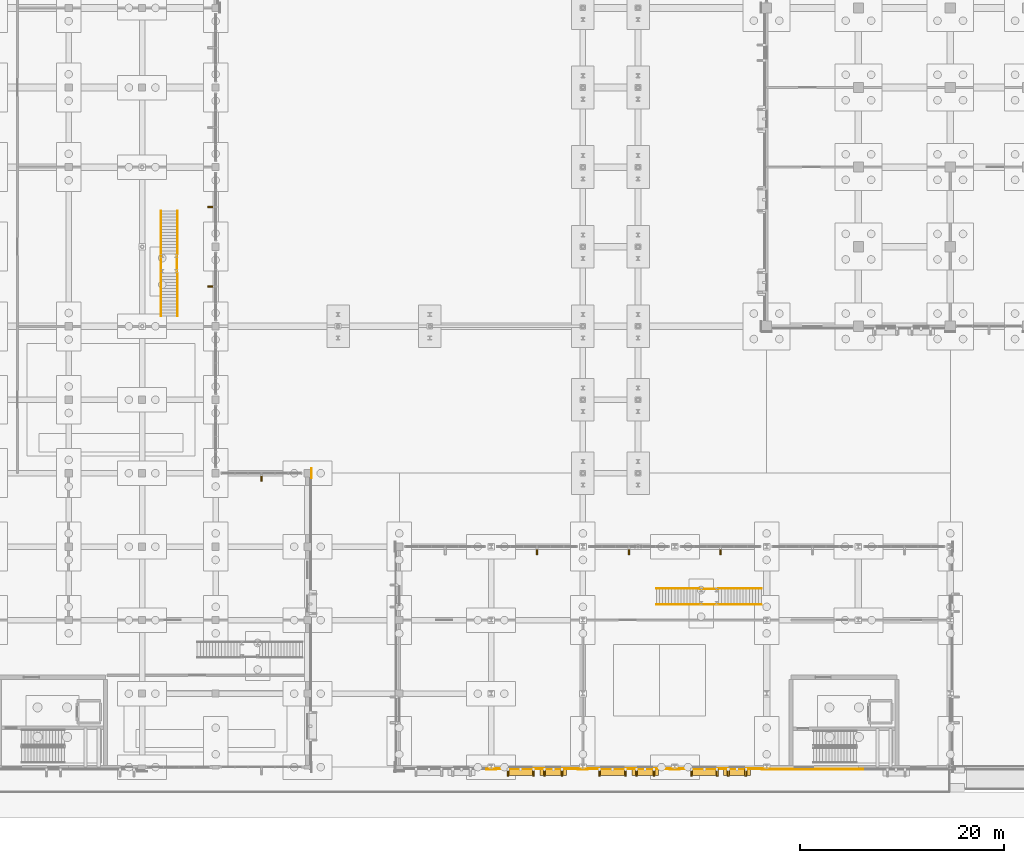
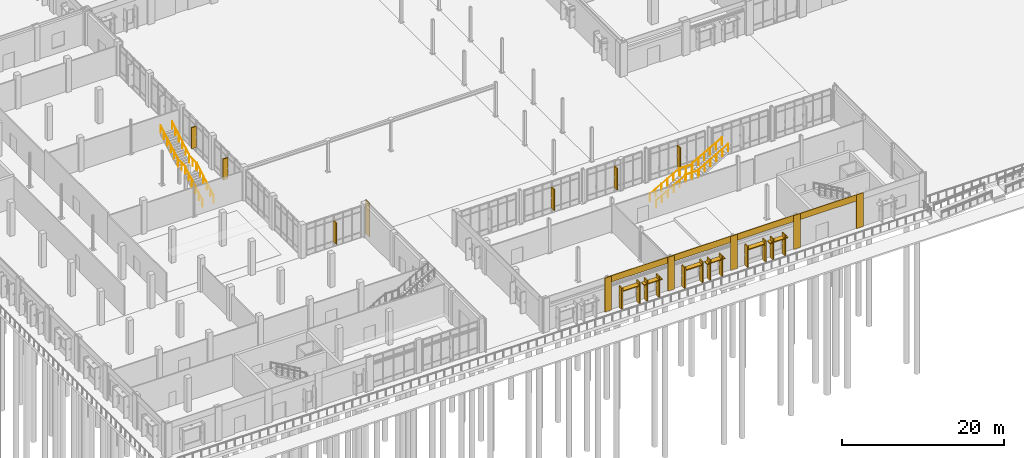
# One storey, part 83 of 94: 24 shading devices, 12 railings, 10 coverings.
"""IFC4 building model written with IfcOpenShell, lengths in metres."""

from ifc_helpers import new_model, si_unit, direction, frame, origin, origin_2d, place, context, subcontext, project, spatial, rectangle, circle, extrude, material, layer, layer_set, type_object, element, save


model = new_model("IFC4")

# Units and contexts
model_context = context("Model", 3, precision=1e-05, world=origin(), true_north=direction((0.0, 1.0)))
body_context = subcontext(model_context, "Body", "Model", "MODEL_VIEW")
ifc_project = project(units=[si_unit("LENGTHUNIT", "METRE"), si_unit("AREAUNIT", "SQUARE_METRE"), si_unit("VOLUMEUNIT", "CUBIC_METRE"), si_unit("PLANEANGLEUNIT", "RADIAN"), si_unit("MASSUNIT", "GRAM", prefix="KILO")], contexts=[model_context])

# Site, building, storey
site_placement = place(None, origin())
site = spatial("IfcSite", under=ifc_project, at=site_placement, CompositionType="ELEMENT")
building_placement = place(site_placement, origin())
building = spatial("IfcBuilding", under=site, at=building_placement, Name="Vervanel Yard Central Library", CompositionType="ELEMENT")
storey_placement = place(building_placement, origin())
storey = spatial("IfcBuildingStorey", under=building, at=storey_placement, Name="L00", CompositionType="ELEMENT", Elevation=0.0)

# Coverings
ifc_material_1 = material(Name="Precast concrete C45/55", Category="concrete")
ifc_layer = layer(ifc_material_1, 0.0849609375, Category="concrete")
ifc_layer_set = layer_set([ifc_layer], Name="Precast concrete C45/55")
covering_type = type_object("IfcCoveringType", Name="Bush-Hammered Precast Architectural Cladding Panel", PredefinedType="CLADDING", material=ifc_layer_set)
covering_1_placement = place(storey_placement, frame((63.0, -0.226806640625, 0.0), z_axis=(0.0, 0.0, 1.0), x_axis=(1.0, 0.0, 0.0)))
element("IfcCovering", 1, at=covering_1_placement, inside=storey, type_object=covering_type, Name="L00 Precast Concrete Pier Pilaster EWALL-L00-0192-B", PredefinedType="CLADDING", context=body_context, shape_type="SweptSolid", body=[
    extrude(rectangle(XDim=0.97998046875, YDim=0.0849609375, at=origin_2d()), origin(), (0.0, 0.0, 1.0), 5.1201171875),
])
covering_2_placement = place(storey_placement, frame((67.5, -0.169921875, 4.179931640625), z_axis=(0.0, 0.0, 1.0), x_axis=(1.0, 0.0, 0.0)))
element("IfcCovering", 2, at=covering_2_placement, inside=storey, type_object=covering_type, Name="L00 Precast Concrete Spandrel Cornice EWALL-L00-0193", PredefinedType="CLADDING", context=body_context, shape_type="SweptSolid", body=[
    extrude(rectangle(XDim=9.449951171875, YDim=0.0849609375, at=origin_2d()), origin(), (0.0, 0.0, 1.0), 0.93994140625),
])
covering_3_placement = place(storey_placement, frame((72.0, -0.226806640625, 0.0), z_axis=(0.0, 0.0, 1.0), x_axis=(1.0, 0.0, 0.0)))
element("IfcCovering", 3, at=covering_3_placement, inside=storey, type_object=covering_type, Name="L00 Precast Concrete Pier Pilaster EWALL-L00-0193-B", PredefinedType="CLADDING", context=body_context, shape_type="SweptSolid", body=[
    extrude(rectangle(XDim=0.97998046875, YDim=0.0849609375, at=origin_2d()), origin(), (0.0, 0.0, 1.0), 5.1201171875),
])
covering_4_placement = place(storey_placement, frame((76.5, -0.169921875, 4.179931640625), z_axis=(0.0, 0.0, 1.0), x_axis=(1.0, 0.0, 0.0)))
element("IfcCovering", 4, at=covering_4_placement, inside=storey, type_object=covering_type, Name="L00 Precast Concrete Spandrel Cornice EWALL-L00-0194", PredefinedType="CLADDING", context=body_context, shape_type="SweptSolid", body=[
    extrude(rectangle(XDim=9.449951171875, YDim=0.0849609375, at=origin_2d()), origin(), (0.0, 0.0, 1.0), 0.93994140625),
])
covering_5_placement = place(storey_placement, frame((81.0, -0.226806640625, 0.0), z_axis=(0.0, 0.0, 1.0), x_axis=(1.0, 0.0, 0.0)))
element("IfcCovering", 5, at=covering_5_placement, inside=storey, type_object=covering_type, Name="L00 Precast Concrete Pier Pilaster EWALL-L00-0194-B", PredefinedType="CLADDING", context=body_context, shape_type="SweptSolid", body=[
    extrude(rectangle(XDim=0.97998046875, YDim=0.0849609375, at=origin_2d()), origin(), (0.0, 0.0, 1.0), 5.1201171875),
])
covering_6_placement = place(storey_placement, frame((85.5, -0.169921875, 4.179931640625), z_axis=(0.0, 0.0, 1.0), x_axis=(1.0, 0.0, 0.0)))
element("IfcCovering", 6, at=covering_6_placement, inside=storey, type_object=covering_type, Name="L00 Precast Concrete Spandrel Cornice EWALL-L00-0195", PredefinedType="CLADDING", context=body_context, shape_type="SweptSolid", body=[
    extrude(rectangle(XDim=9.449951171875, YDim=0.0849609375, at=origin_2d()), origin(), (0.0, 0.0, 1.0), 0.93994140625),
])
covering_7_placement = place(storey_placement, frame((90.0, -0.226806640625, 0.0), z_axis=(0.0, 0.0, 1.0), x_axis=(1.0, 0.0, 0.0)))
element("IfcCovering", 7, at=covering_7_placement, inside=storey, type_object=covering_type, Name="L00 Precast Concrete Pier Pilaster EWALL-L00-0195-B", PredefinedType="CLADDING", context=body_context, shape_type="SweptSolid", body=[
    extrude(rectangle(XDim=0.97998046875, YDim=0.0849609375, at=origin_2d()), origin(), (0.0, 0.0, 1.0), 5.1201171875),
])
covering_8_placement = place(storey_placement, frame((94.5, -0.2099609375, 4.179931640625), z_axis=(0.0, 0.0, 1.0), x_axis=(1.0, 0.0, 0.0)))
element("IfcCovering", 8, at=covering_8_placement, inside=storey, type_object=covering_type, Name="L00 Precast Concrete Spandrel Cornice EWALL-L00-0196", PredefinedType="CLADDING", context=body_context, shape_type="SweptSolid", body=[
    extrude(rectangle(XDim=9.449951171875, YDim=0.0849609375, at=origin_2d()), origin(), (0.0, 0.0, 1.0), 0.93994140625),
])
for number, where, z_axis, x_axis, name in (
    (9, (99.0, -0.21240234375, 0.0), (0.0, 0.0, 1.0), (1.0, 0.0, 0.0), "L00 Precast Concrete Pier Pilaster EWALL-L00-0196-B"),
    (10, (45.392578125, 28.800048828125, 0.0), (0.0, 0.0, 1.0), (0.0, 1.0, 0.0), "L00 Precast Concrete Pier Pilaster EWALL-L00-0221-B"),
):
    element("IfcCovering", number, at=place(storey_placement, frame(where, z_axis=z_axis, x_axis=x_axis)), inside=storey, type_object=covering_type, Name=name, PredefinedType="CLADDING", context=body_context, shape_type="SweptSolid", body=[
        extrude(rectangle(XDim=0.97998046875, YDim=0.0849609375, at=origin_2d()), origin(), (0.0, 0.0, 1.0), 5.1201171875),
    ])

# Shading devices
shading_device_type_1 = type_object("IfcShadingDeviceType", Name="Horizontal Precast Brise-Soleil Sunhood 2600x680x140", PredefinedType="JALOUSIE", material=ifc_material_1)
for number, where, z_axis, x_axis, name in (
    (11, (65.89990234375, -0.5, 2.6298828125), (0.0, 0.0, 1.0), (1.0, 0.0, 0.0), "L00 Precast Horizontal Sunhood 104"),
    (12, (69.10009765625, -0.5, 2.47998046875), (0.0, 0.0, 1.0), (1.0, 0.0, 0.0), "L00 Precast Horizontal Sunhood 105"),
    (13, (74.89990234375, -0.5, 2.6298828125), (0.0, 0.0, 1.0), (1.0, 0.0, 0.0), "L00 Precast Horizontal Sunhood 106"),
    (14, (78.10009765625, -0.5, 2.47998046875), (0.0, 0.0, 1.0), (1.0, 0.0, 0.0), "L00 Precast Horizontal Sunhood 107"),
    (15, (83.89990234375, -0.5, 2.6298828125), (0.0, 0.0, 1.0), (1.0, 0.0, 0.0), "L00 Precast Horizontal Sunhood 108"),
    (16, (87.10009765625, -0.5, 2.47998046875), (0.0, 0.0, 1.0), (1.0, 0.0, 0.0), "L00 Precast Horizontal Sunhood 109"),
):
    element("IfcShadingDevice", number, at=place(storey_placement, frame(where, z_axis=z_axis, x_axis=x_axis)), inside=storey, type_object=shading_device_type_1, Name=name, PredefinedType="JALOUSIE", context=body_context, shape_type="SweptSolid", body=[
        extrude(rectangle(XDim=2.60009765625, YDim=0.679931640625, at=origin_2d()), origin(), (0.0, 0.0, 1.0), 0.139892578125),
    ])

# Railings
ifc_material_2 = material(Name="Galvanized painted steelwork ASTM A500 Grade C", Category="steel")
railing_type = type_object("IfcRailingType", Name="Painted Steel Guardrail 1100", PredefinedType="GUARDRAIL", material=ifc_material_2)
for number, where, name in (
    (17, (30.6298828125, 44.199951171875, 0.169921875), "L00 Feature Stair Guard FST-05-L00 F1 L"),
    (18, (32.27001953125, 44.199951171875, 0.169921875), "L00 Feature Stair Guard FST-05-L00 F1 R"),
    (19, (30.6298828125, 50.300048828125, 2.719970703125), "L00 Feature Stair Guard FST-05-L00 F2 L"),
    (20, (32.27001953125, 50.300048828125, 2.719970703125), "L00 Feature Stair Guard FST-05-L00 F2 R"),
):
    element("IfcRailing", number, at=place(storey_placement, frame(where)), inside=storey, type_object=railing_type, Name=name, PredefinedType="GUARDRAIL", context=body_context, shape_type="SweptSolid", body=[
        extrude(circle(Radius=0.02392578125, at=origin_2d()), frame((0.0, 0.0, 1.076171875), z_axis=(0.0, 0.870008446991, 0.493036816236), x_axis=(-1.0, 0.0, 0.0)), (0.0, 0.0, 1.0), 4.827392578125),
        extrude(circle(Radius=0.02099609375, at=origin_2d()), origin(), (0.0, 0.0, 1.0), 1.052001953125),
        extrude(circle(Radius=0.02099609375, at=origin_2d()), frame((0.0, 0.840087890625, 0.47607421875)), (0.0, 0.0, 1.0), 1.052001953125),
        extrude(circle(Radius=0.02099609375, at=origin_2d()), frame((0.0, 1.679931640625, 0.9521484375)), (0.0, 0.0, 1.0), 1.052001953125),
        extrude(circle(Radius=0.02099609375, at=origin_2d()), frame((0.0, 2.52001953125, 1.427978515625)), (0.0, 0.0, 1.0), 1.052001953125),
        extrude(circle(Radius=0.02099609375, at=origin_2d()), frame((0.0, 3.35986328125, 1.904052734375)), (0.0, 0.0, 1.0), 1.052001953125),
        extrude(circle(Radius=0.02099609375, at=origin_2d()), frame((0.0, 4.199951171875, 2.380126953125)), (0.0, 0.0, 1.0), 1.052001953125),
    ])
railing_1_placement = place(storey_placement, frame((32.22998046875, 48.47998046875, 2.550048828125)))
element("IfcRailing", 21, at=railing_1_placement, inside=storey, type_object=railing_type, Name="L00 Void Guard FST-05-L00-LDG1 E", PredefinedType="GUARDRAIL", context=body_context, shape_type="SweptSolid", body=[
    extrude(circle(Radius=0.02392578125, at=origin_2d()), frame((0.0, 0.0, 1.076171875), z_axis=(0.0, 1.0, 0.0), x_axis=(-1.0, 0.0, 0.0)), (0.0, 0.0, 1.0), 1.739990234375),
    extrude(circle(Radius=0.02099609375, at=origin_2d()), origin(), (0.0, 0.0, 1.0), 1.052001953125),
    extrude(circle(Radius=0.02099609375, at=origin_2d()), frame((0.0, 0.8701171875, 0.0)), (0.0, 0.0, 1.0), 1.052001953125),
    extrude(circle(Radius=0.02099609375, at=origin_2d()), frame((0.0, 1.739990234375, 0.0)), (0.0, 0.0, 1.0), 1.052001953125),
])
railing_2_placement = place(storey_placement, frame((30.669921875, 50.219970703125, 2.550048828125)))
element("IfcRailing", 22, at=railing_2_placement, inside=storey, type_object=railing_type, Name="L00 Void Guard FST-05-L00-LDG1 W", PredefinedType="GUARDRAIL", context=body_context, shape_type="SweptSolid", body=[
    extrude(circle(Radius=0.02392578125, at=origin_2d()), frame((0.0, 0.0, 1.076171875), z_axis=(0.0, -1.0, 0.0), x_axis=(1.0, 0.0, 0.0)), (0.0, 0.0, 1.0), 1.739990234375),
    extrude(circle(Radius=0.02099609375, at=origin_2d()), origin(), (0.0, 0.0, 1.0), 1.052001953125),
    extrude(circle(Radius=0.02099609375, at=origin_2d()), frame((0.0, -0.8701171875, 0.0)), (0.0, 0.0, 1.0), 1.052001953125),
    extrude(circle(Radius=0.02099609375, at=origin_2d()), frame((0.0, -1.739990234375, 0.0)), (0.0, 0.0, 1.0), 1.052001953125),
])
for number, where, name in (
    (23, (79.199951171875, 17.489990234375, 0.169921875), "L00 Feature Stair Guard FST-06-L00 F1 L"),
    (24, (79.199951171875, 15.909912109375, 0.169921875), "L00 Feature Stair Guard FST-06-L00 F1 R"),
    (25, (85.300048828125, 17.489990234375, 2.719970703125), "L00 Feature Stair Guard FST-06-L00 F2 L"),
    (26, (85.300048828125, 15.909912109375, 2.719970703125), "L00 Feature Stair Guard FST-06-L00 F2 R"),
):
    element("IfcRailing", number, at=place(storey_placement, frame(where)), inside=storey, type_object=railing_type, Name=name, PredefinedType="GUARDRAIL", context=body_context, shape_type="SweptSolid", body=[
        extrude(circle(Radius=0.02392578125, at=origin_2d()), frame((0.0, 0.0, 1.076171875), z_axis=(0.870008446991, 0.0, 0.493036816236), x_axis=(0.0, 1.0, 0.0)), (0.0, 0.0, 1.0), 4.827392578125),
        extrude(circle(Radius=0.02099609375, at=origin_2d()), origin(), (0.0, 0.0, 1.0), 1.052001953125),
        extrude(circle(Radius=0.02099609375, at=origin_2d()), frame((0.840087890625, 0.0, 0.47607421875)), (0.0, 0.0, 1.0), 1.052001953125),
        extrude(circle(Radius=0.02099609375, at=origin_2d()), frame((1.679931640625, 0.0, 0.9521484375)), (0.0, 0.0, 1.0), 1.052001953125),
        extrude(circle(Radius=0.02099609375, at=origin_2d()), frame((2.52001953125, 0.0, 1.427978515625)), (0.0, 0.0, 1.0), 1.052001953125),
        extrude(circle(Radius=0.02099609375, at=origin_2d()), frame((3.35986328125, 0.0, 1.904052734375)), (0.0, 0.0, 1.0), 1.052001953125),
        extrude(circle(Radius=0.02099609375, at=origin_2d()), frame((4.199951171875, 0.0, 2.380126953125)), (0.0, 0.0, 1.0), 1.052001953125),
    ])
railing_3_placement = place(storey_placement, frame((83.47998046875, 15.949951171875, 2.550048828125)))
element("IfcRailing", 27, at=railing_3_placement, inside=storey, type_object=railing_type, Name="L00 Void Guard FST-06-L00-LDG1 S", PredefinedType="GUARDRAIL", context=body_context, shape_type="SweptSolid", body=[
    extrude(circle(Radius=0.02392578125, at=origin_2d()), frame((0.0, 0.0, 1.076171875), z_axis=(1.0, 0.0, 0.0), x_axis=(0.0, 1.0, 0.0)), (0.0, 0.0, 1.0), 1.739990234375),
    extrude(circle(Radius=0.02099609375, at=origin_2d()), origin(), (0.0, 0.0, 1.0), 1.052001953125),
    extrude(circle(Radius=0.02099609375, at=origin_2d()), frame((0.8701171875, 0.0, 0.0)), (0.0, 0.0, 1.0), 1.052001953125),
    extrude(circle(Radius=0.02099609375, at=origin_2d()), frame((1.739990234375, 0.0, 0.0)), (0.0, 0.0, 1.0), 1.052001953125),
])
railing_4_placement = place(storey_placement, frame((85.219970703125, 17.449951171875, 2.550048828125)))
element("IfcRailing", 28, at=railing_4_placement, inside=storey, type_object=railing_type, Name="L00 Void Guard FST-06-L00-LDG1 N", PredefinedType="GUARDRAIL", context=body_context, shape_type="SweptSolid", body=[
    extrude(circle(Radius=0.02392578125, at=origin_2d()), frame((0.0, 0.0, 1.076171875), z_axis=(-1.0, 0.0, 0.0), x_axis=(0.0, -1.0, 0.0)), (0.0, 0.0, 1.0), 1.739990234375),
    extrude(circle(Radius=0.02099609375, at=origin_2d()), origin(), (0.0, 0.0, 1.0), 1.052001953125),
    extrude(circle(Radius=0.02099609375, at=origin_2d()), frame((-0.8701171875, 0.0, 0.0)), (0.0, 0.0, 1.0), 1.052001953125),
    extrude(circle(Radius=0.02099609375, at=origin_2d()), frame((-1.739990234375, 0.0, 0.0)), (0.0, 0.0, 1.0), 1.052001953125),
])

# Shading devices
shading_device_type_2 = type_object("IfcShadingDeviceType", Name="Vertical Precast Solar Fin 160x720x3200", PredefinedType="JALOUSIE", material=ifc_material_1)
for number, where, z_axis, x_axis, name in (
    (29, (35.590087890625, 47.10009765625, 0.7900390625), (0.0, 0.0, 1.0), (0.0, 1.0, 0.0), "L00 Precast Solar Fin 249"),
    (30, (35.590087890625, 54.89990234375, 0.7900390625), (0.0, 0.0, 1.0), (0.0, 1.0, 0.0), "L00 Precast Solar Fin 250"),
    (31, (64.639892578125, -0.530029296875, 0.02490234375), (0.0, 0.0, 1.0), (1.0, 0.0, 0.0), "L00 Precast Solar Fin 557"),
    (32, (67.159912109375, -0.530029296875, 0.02490234375), (0.0, 0.0, 1.0), (1.0, 0.0, 0.0), "L00 Precast Solar Fin 558"),
    (33, (68.239990234375, -0.530029296875, -0.0498046875), (0.0, 0.0, 1.0), (1.0, 0.0, 0.0), "L00 Precast Solar Fin 559"),
    (34, (69.9599609375, -0.530029296875, -0.0498046875), (0.0, 0.0, 1.0), (1.0, 0.0, 0.0), "L00 Precast Solar Fin 560"),
    (35, (73.639892578125, -0.530029296875, 0.02490234375), (0.0, 0.0, 1.0), (1.0, 0.0, 0.0), "L00 Precast Solar Fin 561"),
    (36, (76.159912109375, -0.530029296875, 0.02490234375), (0.0, 0.0, 1.0), (1.0, 0.0, 0.0), "L00 Precast Solar Fin 562"),
    (37, (77.239990234375, -0.530029296875, -0.0498046875), (0.0, 0.0, 1.0), (1.0, 0.0, 0.0), "L00 Precast Solar Fin 563"),
    (38, (78.9599609375, -0.530029296875, -0.0498046875), (0.0, 0.0, 1.0), (1.0, 0.0, 0.0), "L00 Precast Solar Fin 564"),
    (39, (82.639892578125, -0.530029296875, 0.02490234375), (0.0, 0.0, 1.0), (1.0, 0.0, 0.0), "L00 Precast Solar Fin 565"),
    (40, (85.159912109375, -0.530029296875, 0.02490234375), (0.0, 0.0, 1.0), (1.0, 0.0, 0.0), "L00 Precast Solar Fin 566"),
    (41, (86.239990234375, -0.530029296875, -0.0498046875), (0.0, 0.0, 1.0), (1.0, 0.0, 0.0), "L00 Precast Solar Fin 567"),
    (42, (87.9599609375, -0.530029296875, -0.0498046875), (0.0, 0.0, 1.0), (1.0, 0.0, 0.0), "L00 Precast Solar Fin 568"),
    (43, (67.5, 21.18994140625, 0.7900390625), (0.0, 0.0, 1.0), (1.0, 0.0, 0.0), "L00 Precast Solar Fin 572"),
    (44, (76.5, 21.18994140625, 0.7900390625), (0.0, 0.0, 1.0), (1.0, 0.0, 0.0), "L00 Precast Solar Fin 573"),
    (45, (85.5, 21.18994140625, 0.7900390625), (0.0, 0.0, 1.0), (1.0, 0.0, 0.0), "L00 Precast Solar Fin 574"),
    (46, (40.5, 28.389892578125, 0.7900390625), (0.0, 0.0, 1.0), (1.0, 0.0, 0.0), "L00 Precast Solar Fin 633"),
):
    element("IfcShadingDevice", number, at=place(storey_placement, frame(where, z_axis=z_axis, x_axis=x_axis)), inside=storey, type_object=shading_device_type_2, Name=name, PredefinedType="JALOUSIE", context=body_context, shape_type="SweptSolid", body=[
        extrude(rectangle(XDim=0.159912109375, YDim=0.719970703125, at=origin_2d()), origin(), (0.0, 0.0, 1.0), 3.199951171875),
    ])

save(model, "model.ifc")
